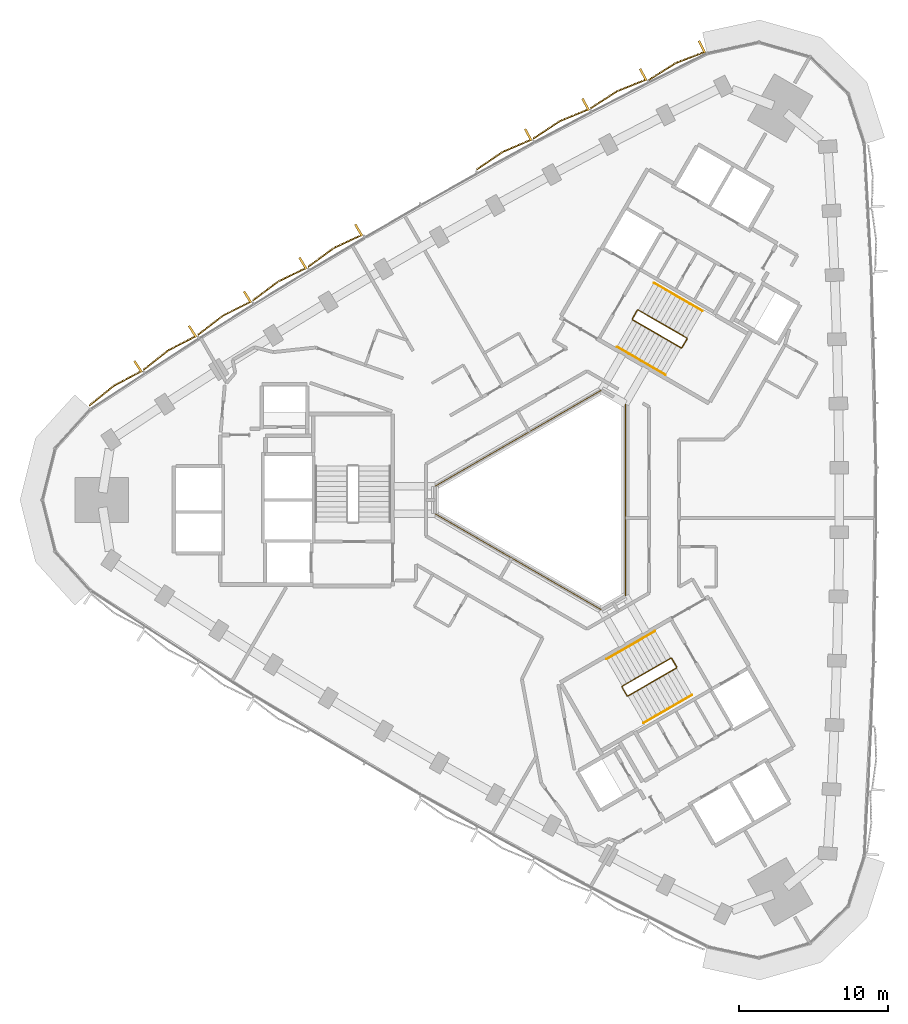
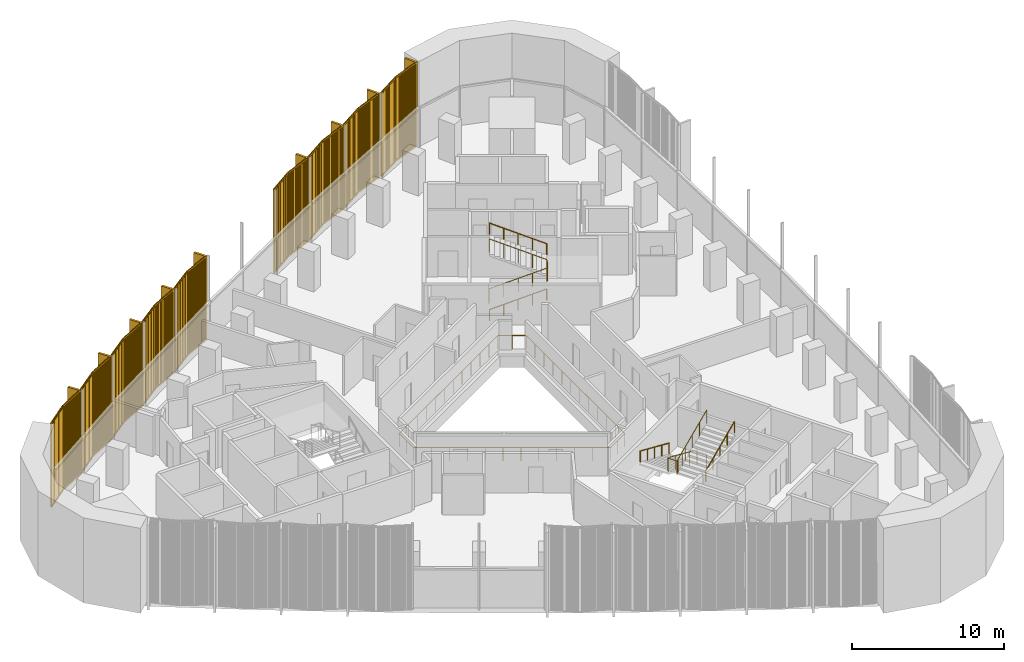
# One storey, part 13 of 14: 9 coverings, 7 railings.
"""IFC4 building model written with IfcOpenShell, lengths in metres."""

from ifc_helpers import new_model, si_unit, direction, frame, frame_2d, origin, origin_2d, place, context, subcontext, project, spatial, rectangle, circle, extrude, source, transform, mapped, material, type_object, element, save


model = new_model("IFC4")

# Units and contexts
model_context = context("Model", 3, precision=1e-05, world=origin(), true_north=direction((0.0, 1.0)))
body_context = subcontext(model_context, "Body", "Model", "MODEL_VIEW")
ifc_project = project(units=[si_unit("LENGTHUNIT", "METRE"), si_unit("AREAUNIT", "SQUARE_METRE"), si_unit("VOLUMEUNIT", "CUBIC_METRE"), si_unit("PLANEANGLEUNIT", "RADIAN"), si_unit("MASSUNIT", "GRAM", prefix="KILO")], contexts=[model_context])

# Site, building, storey
site_placement = place(None, origin())
site = spatial("IfcSite", under=ifc_project, at=site_placement, CompositionType="ELEMENT")
building_placement = place(site_placement, origin())
building = spatial("IfcBuilding", under=site, at=building_placement, Name="Tamra Quay Hotel Tower", CompositionType="ELEMENT")
storey_placement = place(building_placement, frame((0.0, 0.0, 150.39990234375)))
storey = spatial("IfcBuildingStorey", under=building, at=storey_placement, Name="L37", CompositionType="ELEMENT", Elevation=150.39990234375)

# Railings
ifc_material_1 = material(Name="Guard atrium edge 1100")
railing_type_1 = type_object("IfcRailingType", Name="Guard atrium edge 1100", PredefinedType="GUARDRAIL", material=ifc_material_1)
railing_1_placement = place(storey_placement, frame((4.800048828125, -6.466064453125, 0.0)))
element("IfcRailing", 1, at=railing_1_placement, inside=storey, type_object=railing_type_1, Name="G-A", PredefinedType="GUARDRAIL", context=body_context, shape_type="SweptSolid", body=[
    extrude(circle(Radius=0.02392578125, at=origin_2d()), frame((0.0, 0.0, 1.076171875), z_axis=(-0.86602275259, -0.500004591975, 0.0), x_axis=(0.500004591975, -0.86602275259, 0.0)), (0.0, 0.0, 1.0), 1.84765625),
    extrude(circle(Radius=0.02392578125, at=origin_2d()), frame((-1.60009765625, -0.923828125, 1.076171875), z_axis=(-0.86604129137, 0.499972480886, 0.0), x_axis=(-0.499972480886, -0.86604129137, 0.0)), (0.0, 0.0, 1.0), 12.932373046875),
    extrude(circle(Radius=0.02392578125, at=origin_2d()), frame((-12.800048828125, 5.5419921875, 1.076171875), z_axis=(0.0, 1.0, 0.0), x_axis=(-1.0, 0.0, 0.0)), (0.0, 0.0, 1.0), 1.84814453125),
    extrude(circle(Radius=0.02392578125, at=origin_2d()), frame((-12.800048828125, 7.39013671875, 1.076171875), z_axis=(0.86604129137, 0.499972480886, 0.0), x_axis=(-0.499972480886, 0.86604129137, 0.0)), (0.0, 0.0, 1.0), 12.932373046875),
    extrude(circle(Radius=0.02392578125, at=origin_2d()), frame((-1.60009765625, 13.85595703125, 1.076171875), z_axis=(0.86602275259, -0.500004591975, 0.0), x_axis=(0.500004591975, 0.86602275259, 0.0)), (0.0, 0.0, 1.0), 1.84765625),
    extrude(circle(Radius=0.02392578125, at=origin_2d()), frame((0.0, 12.93212890625, 1.076171875), z_axis=(0.0, -1.0, 0.0), x_axis=(1.0, 0.0, 0.0)), (0.0, 0.0, 1.0), 12.93212890625),
    extrude(circle(Radius=0.02099609375, at=origin_2d()), origin(), (0.0, 0.0, 1.0), 1.052001953125),
    extrude(circle(Radius=0.02099609375, at=origin_2d()), frame((-0.800048828125, -0.4619140625, 0.0)), (0.0, 0.0, 1.0), 1.052001953125),
    extrude(circle(Radius=0.02099609375, at=origin_2d()), frame((-1.60009765625, -0.923828125, 0.0)), (0.0, 0.0, 1.0), 1.052001953125),
    extrude(circle(Radius=0.02099609375, at=origin_2d()), frame((-2.6181640625, -0.3359375, 0.0)), (0.0, 0.0, 1.0), 1.052001953125),
    extrude(circle(Radius=0.02099609375, at=origin_2d()), frame((-3.636474609375, 0.251708984375, 0.0)), (0.0, 0.0, 1.0), 1.052001953125),
    extrude(circle(Radius=0.02099609375, at=origin_2d()), frame((-4.654541015625, 0.839599609375, 0.0)), (0.0, 0.0, 1.0), 1.052001953125),
    extrude(circle(Radius=0.02099609375, at=origin_2d()), frame((-5.6728515625, 1.427490234375, 0.0)), (0.0, 0.0, 1.0), 1.052001953125),
    extrude(circle(Radius=0.02099609375, at=origin_2d()), frame((-6.69091796875, 2.01513671875, 0.0)), (0.0, 0.0, 1.0), 1.052001953125),
    extrude(circle(Radius=0.02099609375, at=origin_2d()), frame((-7.709228515625, 2.60302734375, 0.0)), (0.0, 0.0, 1.0), 1.052001953125),
    extrude(circle(Radius=0.02099609375, at=origin_2d()), frame((-8.727294921875, 3.190673828125, 0.0)), (0.0, 0.0, 1.0), 1.052001953125),
    extrude(circle(Radius=0.02099609375, at=origin_2d()), frame((-9.74560546875, 3.778564453125, 0.0)), (0.0, 0.0, 1.0), 1.052001953125),
    extrude(circle(Radius=0.02099609375, at=origin_2d()), frame((-10.763671875, 4.366455078125, 0.0)), (0.0, 0.0, 1.0), 1.052001953125),
    extrude(circle(Radius=0.02099609375, at=origin_2d()), frame((-11.781982421875, 4.9541015625, 0.0)), (0.0, 0.0, 1.0), 1.052001953125),
    extrude(circle(Radius=0.02099609375, at=origin_2d()), frame((-12.800048828125, 5.5419921875, 0.0)), (0.0, 0.0, 1.0), 1.052001953125),
    extrude(circle(Radius=0.02099609375, at=origin_2d()), frame((-12.800048828125, 6.466064453125, 0.0)), (0.0, 0.0, 1.0), 1.052001953125),
    extrude(circle(Radius=0.02099609375, at=origin_2d()), frame((-12.800048828125, 7.39013671875, 0.0)), (0.0, 0.0, 1.0), 1.052001953125),
    extrude(circle(Radius=0.02099609375, at=origin_2d()), frame((-11.781982421875, 7.97802734375, 0.0)), (0.0, 0.0, 1.0), 1.052001953125),
    extrude(circle(Radius=0.02099609375, at=origin_2d()), frame((-10.763671875, 8.565673828125, 0.0)), (0.0, 0.0, 1.0), 1.052001953125),
    extrude(circle(Radius=0.02099609375, at=origin_2d()), frame((-9.74560546875, 9.153564453125, 0.0)), (0.0, 0.0, 1.0), 1.052001953125),
    extrude(circle(Radius=0.02099609375, at=origin_2d()), frame((-8.727294921875, 9.741455078125, 0.0)), (0.0, 0.0, 1.0), 1.052001953125),
    extrude(circle(Radius=0.02099609375, at=origin_2d()), frame((-7.709228515625, 10.3291015625, 0.0)), (0.0, 0.0, 1.0), 1.052001953125),
    extrude(circle(Radius=0.02099609375, at=origin_2d()), frame((-6.69091796875, 10.9169921875, 0.0)), (0.0, 0.0, 1.0), 1.052001953125),
    extrude(circle(Radius=0.02099609375, at=origin_2d()), frame((-5.6728515625, 11.504638671875, 0.0)), (0.0, 0.0, 1.0), 1.052001953125),
    extrude(circle(Radius=0.02099609375, at=origin_2d()), frame((-4.654541015625, 12.092529296875, 0.0)), (0.0, 0.0, 1.0), 1.052001953125),
    extrude(circle(Radius=0.02099609375, at=origin_2d()), frame((-3.636474609375, 12.680419921875, 0.0)), (0.0, 0.0, 1.0), 1.052001953125),
    extrude(circle(Radius=0.02099609375, at=origin_2d()), frame((-2.6181640625, 13.26806640625, 0.0)), (0.0, 0.0, 1.0), 1.052001953125),
    extrude(circle(Radius=0.02099609375, at=origin_2d()), frame((-1.60009765625, 13.85595703125, 0.0)), (0.0, 0.0, 1.0), 1.052001953125),
    extrude(circle(Radius=0.02099609375, at=origin_2d()), frame((-0.800048828125, 13.39404296875, 0.0)), (0.0, 0.0, 1.0), 1.052001953125),
    extrude(circle(Radius=0.02099609375, at=origin_2d()), frame((0.0, 12.93212890625, 0.0)), (0.0, 0.0, 1.0), 1.052001953125),
    extrude(circle(Radius=0.02099609375, at=origin_2d()), frame((0.0, 11.756591796875, 0.0)), (0.0, 0.0, 1.0), 1.052001953125),
    extrude(circle(Radius=0.02099609375, at=origin_2d()), frame((0.0, 10.580810546875, 0.0)), (0.0, 0.0, 1.0), 1.052001953125),
    extrude(circle(Radius=0.02099609375, at=origin_2d()), frame((0.0, 9.4052734375, 0.0)), (0.0, 0.0, 1.0), 1.052001953125),
    extrude(circle(Radius=0.02099609375, at=origin_2d()), frame((0.0, 8.2294921875, 0.0)), (0.0, 0.0, 1.0), 1.052001953125),
    extrude(circle(Radius=0.02099609375, at=origin_2d()), frame((0.0, 7.053955078125, 0.0)), (0.0, 0.0, 1.0), 1.052001953125),
    extrude(circle(Radius=0.02099609375, at=origin_2d()), frame((0.0, 5.878173828125, 0.0)), (0.0, 0.0, 1.0), 1.052001953125),
    extrude(circle(Radius=0.02099609375, at=origin_2d()), frame((0.0, 4.70263671875, 0.0)), (0.0, 0.0, 1.0), 1.052001953125),
    extrude(circle(Radius=0.02099609375, at=origin_2d()), frame((0.0, 3.52685546875, 0.0)), (0.0, 0.0, 1.0), 1.052001953125),
    extrude(circle(Radius=0.02099609375, at=origin_2d()), frame((0.0, 2.351318359375, 0.0)), (0.0, 0.0, 1.0), 1.052001953125),
    extrude(circle(Radius=0.02099609375, at=origin_2d()), frame((0.0, 1.175537109375, 0.0)), (0.0, 0.0, 1.0), 1.052001953125),
])
ifc_material_2 = material(Name="Stair guard 1100")
railing_type_2 = type_object("IfcRailingType", Name="Stair guard 1100", PredefinedType="GUARDRAIL", material=ifc_material_2)
railing_2_placement = place(storey_placement, frame((5.595458984375, 12.751953125, 0.0)))
element("IfcRailing", 2, at=railing_2_placement, inside=storey, type_object=railing_type_2, Name="GR", PredefinedType="GUARDRAIL", context=body_context, shape_type="SweptSolid", body=[
    extrude(circle(Radius=0.02392578125, at=origin_2d()), frame((0.0, 0.0, 1.076171875), z_axis=(-0.499765215335, -0.866160914346, 0.0), x_axis=(0.866160914346, -0.499765215335, 0.0)), (0.0, 0.0, 1.0), 0.658935546875),
    extrude(circle(Radius=0.02392578125, at=origin_2d()), frame((-0.329345703125, -0.57080078125, 1.076171875), z_axis=(0.110378772244, -0.410609032747, 0.905105932399), x_axis=(0.965715946433, 0.259601060869, 0.0)), (0.0, 0.0, 1.0), 0.165771484375),
    extrude(circle(Radius=0.02392578125, at=origin_2d()), frame((-0.31103515625, -0.638916015625, 1.22607421875), z_axis=(0.793078462799, -0.457933869594, 0.401650498471), x_axis=(0.500040788363, 0.866001853331, 0.0)), (0.0, 0.0, 1.0), 4.10791015625),
    extrude(circle(Radius=0.02392578125, at=origin_2d()), frame((2.94677734375, -2.52001953125, 2.8759765625), z_axis=(0.965948051503, 0.258736085224, 0.0), x_axis=(-0.258736085224, 0.965948051503, 0.0)), (0.0, 0.0, 1.0), 0.07080078125),
    extrude(circle(Radius=0.02392578125, at=origin_2d()), frame((3.01513671875, -2.501708984375, 2.8759765625), z_axis=(0.500043078269, 0.866000531106, 0.0), x_axis=(-0.866000531106, 0.500043078269, 0.0)), (0.0, 0.0, 1.0), 0.6591796875),
    extrude(circle(Radius=0.02392578125, at=origin_2d()), frame((3.3447265625, -1.930908203125, 2.8759765625), z_axis=(-0.110378772244, 0.410609032747, 0.905105932399), x_axis=(-0.965715946433, -0.259601060869, 0.0)), (0.0, 0.0, 1.0), 0.165771484375),
    extrude(circle(Radius=0.02392578125, at=origin_2d()), frame((3.326416015625, -1.86279296875, 3.0263671875), z_axis=(-0.793100512587, 0.457912285461, 0.401631567183), x_axis=(-0.500012686397, -0.866018079166, 0.0)), (0.0, 0.0, 1.0), 4.10791015625),
    extrude(circle(Radius=0.02099609375, at=origin_2d()), origin(), (0.0, 0.0, 1.0), 1.052001953125),
    extrude(circle(Radius=0.02099609375, at=origin_2d()), frame((-0.329345703125, -0.57080078125, 0.0)), (0.0, 0.0, 1.0), 1.052001953125),
    extrude(circle(Radius=0.02099609375, at=origin_2d()), frame((-0.31103515625, -0.638916015625, 0.150146484375)), (0.0, 0.0, 1.0), 1.052001953125),
    extrude(circle(Radius=0.02099609375, at=origin_2d()), frame((0.50341796875, -1.109130859375, 0.5625)), (0.0, 0.0, 1.0), 1.052001953125),
    extrude(circle(Radius=0.02099609375, at=origin_2d()), frame((1.31787109375, -1.57958984375, 0.97509765625)), (0.0, 0.0, 1.0), 1.052001953125),
    extrude(circle(Radius=0.02099609375, at=origin_2d()), frame((2.13232421875, -2.0498046875, 1.3876953125)), (0.0, 0.0, 1.0), 1.052001953125),
    extrude(circle(Radius=0.02099609375, at=origin_2d()), frame((2.94677734375, -2.52001953125, 1.800048828125)), (0.0, 0.0, 1.0), 1.052001953125),
    extrude(circle(Radius=0.02099609375, at=origin_2d()), frame((3.01513671875, -2.501708984375, 1.800048828125)), (0.0, 0.0, 1.0), 1.052001953125),
    extrude(circle(Radius=0.02099609375, at=origin_2d()), frame((3.3447265625, -1.930908203125, 1.800048828125)), (0.0, 0.0, 1.0), 1.052001953125),
    extrude(circle(Radius=0.02099609375, at=origin_2d()), frame((3.326416015625, -1.86279296875, 1.9501953125)), (0.0, 0.0, 1.0), 1.052001953125),
    extrude(circle(Radius=0.02099609375, at=origin_2d()), frame((2.511962890625, -1.392578125, 2.36279296875)), (0.0, 0.0, 1.0), 1.052001953125),
    extrude(circle(Radius=0.02099609375, at=origin_2d()), frame((1.697265625, -0.92236328125, 2.775146484375)), (0.0, 0.0, 1.0), 1.052001953125),
    extrude(circle(Radius=0.02099609375, at=origin_2d()), frame((0.8828125, -0.451904296875, 3.1875)), (0.0, 0.0, 1.0), 1.052001953125),
    extrude(circle(Radius=0.02099609375, at=origin_2d()), frame((0.068359375, 0.018310546875, 3.60009765625)), (0.0, 0.0, 1.0), 1.052001953125),
])
railing_3_placement = place(storey_placement, frame((8.245849609375, -11.221923828125, 0.0)))
element("IfcRailing", 3, at=railing_3_placement, inside=storey, type_object=railing_type_2, Name="GR", PredefinedType="GUARDRAIL", context=body_context, shape_type="SweptSolid", body=[
    extrude(circle(Radius=0.02392578125, at=origin_2d()), frame((0.0, 0.0, 1.076171875), z_axis=(-0.500043078269, 0.866000531106, 0.0), x_axis=(-0.866000531106, -0.500043078269, 0.0)), (0.0, 0.0, 1.0), 0.6591796875),
    extrude(circle(Radius=0.02392578125, at=origin_2d()), frame((-0.32958984375, 0.57080078125, 1.076171875), z_axis=(-0.411831509231, 0.110312011401, 0.90455849349), x_axis=(-0.258736085224, -0.965948051503, 0.0)), (0.0, 0.0, 1.0), 0.166015625),
    extrude(circle(Radius=0.02392578125, at=origin_2d()), frame((-0.39794921875, 0.589111328125, 1.22607421875), z_axis=(-0.793100512587, -0.457912285461, 0.401631567183), x_axis=(0.500012686397, -0.866018079166, 0.0)), (0.0, 0.0, 1.0), 4.10791015625),
    extrude(circle(Radius=0.02392578125, at=origin_2d()), frame((-3.656005859375, -1.2919921875, 2.8759765625), z_axis=(-0.256368644879, -0.966579080015, 0.0), x_axis=(0.966579080015, -0.256368644879, 0.0)), (0.0, 0.0, 1.0), 0.070556640625),
    extrude(circle(Radius=0.02392578125, at=origin_2d()), frame((-3.674072265625, -1.360107421875, 2.8759765625), z_axis=(0.499765215335, -0.866160914346, 0.0), x_axis=(0.866160914346, 0.499765215335, 0.0)), (0.0, 0.0, 1.0), 0.658935546875),
    extrude(circle(Radius=0.02392578125, at=origin_2d()), frame((-3.3447265625, -1.930908203125, 2.8759765625), z_axis=(0.411831509231, -0.110312011401, 0.90455849349), x_axis=(0.258736085224, 0.965948051503, 0.0)), (0.0, 0.0, 1.0), 0.166015625),
    extrude(circle(Radius=0.02392578125, at=origin_2d()), frame((-3.2763671875, -1.94921875, 3.0263671875), z_axis=(0.793100512587, 0.457912285461, 0.401631567183), x_axis=(-0.500012686397, 0.866018079166, 0.0)), (0.0, 0.0, 1.0), 4.10791015625),
    extrude(circle(Radius=0.02099609375, at=origin_2d()), origin(), (0.0, 0.0, 1.0), 1.052001953125),
    extrude(circle(Radius=0.02099609375, at=origin_2d()), frame((-0.32958984375, 0.57080078125, 0.0)), (0.0, 0.0, 1.0), 1.052001953125),
    extrude(circle(Radius=0.02099609375, at=origin_2d()), frame((-0.39794921875, 0.589111328125, 0.150146484375)), (0.0, 0.0, 1.0), 1.052001953125),
    extrude(circle(Radius=0.02099609375, at=origin_2d()), frame((-1.21240234375, 0.118896484375, 0.5625)), (0.0, 0.0, 1.0), 1.052001953125),
    extrude(circle(Radius=0.02099609375, at=origin_2d()), frame((-2.02685546875, -0.3515625, 0.97509765625)), (0.0, 0.0, 1.0), 1.052001953125),
    extrude(circle(Radius=0.02099609375, at=origin_2d()), frame((-2.841552734375, -0.82177734375, 1.3876953125)), (0.0, 0.0, 1.0), 1.052001953125),
    extrude(circle(Radius=0.02099609375, at=origin_2d()), frame((-3.656005859375, -1.2919921875, 1.800048828125)), (0.0, 0.0, 1.0), 1.052001953125),
    extrude(circle(Radius=0.02099609375, at=origin_2d()), frame((-3.674072265625, -1.360107421875, 1.800048828125)), (0.0, 0.0, 1.0), 1.052001953125),
    extrude(circle(Radius=0.02099609375, at=origin_2d()), frame((-3.3447265625, -1.930908203125, 1.800048828125)), (0.0, 0.0, 1.0), 1.052001953125),
    extrude(circle(Radius=0.02099609375, at=origin_2d()), frame((-3.2763671875, -1.94921875, 1.9501953125)), (0.0, 0.0, 1.0), 1.052001953125),
    extrude(circle(Radius=0.02099609375, at=origin_2d()), frame((-2.4619140625, -1.47900390625, 2.36279296875)), (0.0, 0.0, 1.0), 1.052001953125),
    extrude(circle(Radius=0.02099609375, at=origin_2d()), frame((-1.6474609375, -1.0087890625, 2.775146484375)), (0.0, 0.0, 1.0), 1.052001953125),
    extrude(circle(Radius=0.02099609375, at=origin_2d()), frame((-0.832763671875, -0.538330078125, 3.1875)), (0.0, 0.0, 1.0), 1.052001953125),
    extrude(circle(Radius=0.02099609375, at=origin_2d()), frame((-0.018310546875, -0.068115234375, 3.60009765625)), (0.0, 0.0, 1.0), 1.052001953125),
])
ifc_material_3 = material(Name="Stair handrail 900")
railing_type_3 = type_object("IfcRailingType", Name="Stair handrail 900", PredefinedType="HANDRAIL", material=ifc_material_3)
railing_4_placement = place(storey_placement, frame((4.234375, 10.294189453125, 0.150146484375)))
element("IfcRailing", 4, at=railing_4_placement, inside=storey, type_object=railing_type_3, Name="HR", PredefinedType="HANDRAIL", context=body_context, shape_type="SweptSolid", body=[
    extrude(circle(Radius=0.02392578125, at=origin_2d()), frame((0.0, 0.0, 0.8759765625), z_axis=(0.793122095483, -0.45786531462, 0.401642496911), x_axis=(0.499964013922, 0.86604617936, 0.0)), (0.0, 0.0, 1.0), 4.10791015625),
    extrude(circle(Radius=0.02099609375, at=origin_2d()), origin(), (0.0, 0.0, 1.0), 0.851806640625),
    extrude(circle(Radius=0.02099609375, at=origin_2d()), frame((0.814453125, -0.47021484375, 0.41259765625)), (0.0, 0.0, 1.0), 0.851806640625),
    extrude(circle(Radius=0.02099609375, at=origin_2d()), frame((1.62890625, -0.9404296875, 0.824951171875)), (0.0, 0.0, 1.0), 0.851806640625),
    extrude(circle(Radius=0.02099609375, at=origin_2d()), frame((2.443603515625, -1.41064453125, 1.2373046875)), (0.0, 0.0, 1.0), 0.851806640625),
    extrude(circle(Radius=0.02099609375, at=origin_2d()), frame((3.258056640625, -1.880859375, 1.64990234375)), (0.0, 0.0, 1.0), 0.851806640625),
])
railing_5_placement = place(storey_placement, frame((9.971923828125, 12.7080078125, 1.9501953125)))
element("IfcRailing", 5, at=railing_5_placement, inside=storey, type_object=railing_type_3, Name="HR", PredefinedType="HANDRAIL", context=body_context, shape_type="SweptSolid", body=[
    extrude(circle(Radius=0.02392578125, at=origin_2d()), frame((0.0, 0.0, 0.8759765625), z_axis=(-0.793122095483, 0.45786531462, 0.401642496911), x_axis=(-0.499964013922, -0.86604617936, 0.0)), (0.0, 0.0, 1.0), 4.10791015625),
    extrude(circle(Radius=0.02099609375, at=origin_2d()), origin(), (0.0, 0.0, 1.0), 0.851806640625),
    extrude(circle(Radius=0.02099609375, at=origin_2d()), frame((-0.814453125, 0.47021484375, 0.41259765625)), (0.0, 0.0, 1.0), 0.851806640625),
    extrude(circle(Radius=0.02099609375, at=origin_2d()), frame((-1.62890625, 0.9404296875, 0.824951171875)), (0.0, 0.0, 1.0), 0.851806640625),
    extrude(circle(Radius=0.02099609375, at=origin_2d()), frame((-2.443603515625, 1.41064453125, 1.2373046875)), (0.0, 0.0, 1.0), 0.851806640625),
    extrude(circle(Radius=0.02099609375, at=origin_2d()), frame((-3.258056640625, 1.880859375, 1.64990234375)), (0.0, 0.0, 1.0), 0.851806640625),
])
railing_6_placement = place(storey_placement, frame((6.7978515625, -8.814208984375, 0.150146484375)))
element("IfcRailing", 6, at=railing_6_placement, inside=storey, type_object=railing_type_3, Name="HR", PredefinedType="HANDRAIL", context=body_context, shape_type="SweptSolid", body=[
    extrude(circle(Radius=0.02392578125, at=origin_2d()), frame((0.0, 0.0, 0.8759765625), z_axis=(-0.79310004713, -0.457886897714, 0.401661429744), x_axis=(0.499992114976, -0.866029956157, 0.0)), (0.0, 0.0, 1.0), 4.107666015625),
    extrude(circle(Radius=0.02099609375, at=origin_2d()), origin(), (0.0, 0.0, 1.0), 0.851806640625),
    extrude(circle(Radius=0.02099609375, at=origin_2d()), frame((-0.814453125, -0.47021484375, 0.41259765625)), (0.0, 0.0, 1.0), 0.851806640625),
    extrude(circle(Radius=0.02099609375, at=origin_2d()), frame((-1.62890625, -0.9404296875, 0.824951171875)), (0.0, 0.0, 1.0), 0.851806640625),
    extrude(circle(Radius=0.02099609375, at=origin_2d()), frame((-2.443359375, -1.41064453125, 1.2373046875)), (0.0, 0.0, 1.0), 0.851806640625),
    extrude(circle(Radius=0.02099609375, at=origin_2d()), frame((-3.2578125, -1.880859375, 1.64990234375)), (0.0, 0.0, 1.0), 0.851806640625),
])
railing_7_placement = place(storey_placement, frame((6.01953125, -14.98974609375, 1.9501953125)))
element("IfcRailing", 7, at=railing_7_placement, inside=storey, type_object=railing_type_3, Name="HR", PredefinedType="HANDRAIL", context=body_context, shape_type="SweptSolid", body=[
    extrude(circle(Radius=0.02392578125, at=origin_2d()), frame((0.0, 0.0, 0.8759765625), z_axis=(0.79310004713, 0.457886897714, 0.401661429744), x_axis=(-0.499992114976, 0.866029956157, 0.0)), (0.0, 0.0, 1.0), 4.107666015625),
    extrude(circle(Radius=0.02099609375, at=origin_2d()), origin(), (0.0, 0.0, 1.0), 0.851806640625),
    extrude(circle(Radius=0.02099609375, at=origin_2d()), frame((0.814453125, 0.47021484375, 0.41259765625)), (0.0, 0.0, 1.0), 0.851806640625),
    extrude(circle(Radius=0.02099609375, at=origin_2d()), frame((1.62890625, 0.9404296875, 0.824951171875)), (0.0, 0.0, 1.0), 0.851806640625),
    extrude(circle(Radius=0.02099609375, at=origin_2d()), frame((2.443359375, 1.41064453125, 1.2373046875)), (0.0, 0.0, 1.0), 0.851806640625),
    extrude(circle(Radius=0.02099609375, at=origin_2d()), frame((3.2578125, 1.880859375, 1.64990234375)), (0.0, 0.0, 1.0), 0.851806640625),
])

# Coverings
ifc_material_4 = material(Name="Terracotta baguette extruded", Category="masonry")
covering_type = type_object("IfcCoveringType", Name="BAGUETTE SCREEN NW-V H6800", PredefinedType="USERDEFINED", material=ifc_material_4)
shared_shape = source(origin(), body_context, "Body", "SweptSolid", [
    extrude(rectangle(XDim=2.142333984375, YDim=0.06005859375, at=frame_2d((1.0712890625, 0.030029296875))), frame((-2.13818359375, -0.0576171875, -0.1201171875), z_axis=(0.0, 0.0, 1.0), x_axis=(0.995396198367, -0.09584575252, 0.0)), (0.0, 0.0, 1.0), 0.1201171875),
    extrude(rectangle(XDim=2.142333984375, YDim=0.06005859375, at=frame_2d((1.0712890625, 0.030029296875))), frame((-2.13818359375, -0.0576171875, -6.800048828125), z_axis=(0.0, 0.0, 1.0), x_axis=(0.995396198367, -0.09584575252, 0.0)), (0.0, 0.0, 1.0), 0.1201171875),
    extrude(rectangle(XDim=0.070068359375, YDim=0.10009765625, at=frame_2d((0.03515625, 0.050048828125))), frame((-2.11669921875, -0.1328125, -6.739990234375)), (0.0, 0.0, 1.0), 6.679931640625),
    extrude(rectangle(XDim=0.070068359375, YDim=0.10009765625, at=frame_2d((0.03515625, 0.050048828125))), frame((-2.01513671875, -0.142578125, -6.739990234375)), (0.0, 0.0, 1.0), 6.679931640625),
    extrude(rectangle(XDim=0.070068359375, YDim=0.10009765625, at=frame_2d((0.03515625, 0.050048828125))), frame((-1.91357421875, -0.15234375, -6.739990234375)), (0.0, 0.0, 1.0), 6.679931640625),
    extrude(rectangle(XDim=0.070068359375, YDim=0.10009765625, at=frame_2d((0.03515625, 0.050048828125))), frame((-1.81201171875, -0.162109375, -6.739990234375)), (0.0, 0.0, 1.0), 6.679931640625),
    extrude(rectangle(XDim=0.070068359375, YDim=0.10009765625, at=frame_2d((0.03515625, 0.050048828125))), frame((-1.71044921875, -0.172119140625, -6.739990234375)), (0.0, 0.0, 1.0), 6.679931640625),
    extrude(rectangle(XDim=0.070068359375, YDim=0.10009765625, at=frame_2d((0.03515625, 0.050048828125))), frame((-1.60888671875, -0.181884765625, -6.739990234375)), (0.0, 0.0, 1.0), 6.679931640625),
    extrude(rectangle(XDim=0.070068359375, YDim=0.10009765625, at=frame_2d((0.03515625, 0.050048828125))), frame((-1.50732421875, -0.191650390625, -6.739990234375)), (0.0, 0.0, 1.0), 6.679931640625),
    extrude(rectangle(XDim=0.070068359375, YDim=0.10009765625, at=frame_2d((0.03515625, 0.050048828125))), frame((-1.406005859375, -0.201416015625, -6.739990234375)), (0.0, 0.0, 1.0), 6.679931640625),
    extrude(rectangle(XDim=0.070068359375, YDim=0.10009765625, at=frame_2d((0.03515625, 0.050048828125))), frame((-1.304443359375, -0.211181640625, -6.739990234375)), (0.0, 0.0, 1.0), 6.679931640625),
    extrude(rectangle(XDim=0.070068359375, YDim=0.10009765625, at=frame_2d((0.03515625, 0.050048828125))), frame((-1.202880859375, -0.220947265625, -6.739990234375)), (0.0, 0.0, 1.0), 6.679931640625),
    extrude(rectangle(XDim=0.070068359375, YDim=0.10009765625, at=frame_2d((0.03515625, 0.050048828125))), frame((-1.101318359375, -0.230712890625, -6.739990234375)), (0.0, 0.0, 1.0), 6.679931640625),
    extrude(rectangle(XDim=0.070068359375, YDim=0.10009765625, at=frame_2d((0.03515625, 0.050048828125))), frame((-0.999755859375, -0.240478515625, -6.739990234375)), (0.0, 0.0, 1.0), 6.679931640625),
    extrude(rectangle(XDim=0.070068359375, YDim=0.10009765625, at=frame_2d((0.03515625, 0.050048828125))), frame((-0.898193359375, -0.250244140625, -6.739990234375)), (0.0, 0.0, 1.0), 6.679931640625),
    extrude(rectangle(XDim=0.070068359375, YDim=0.10009765625, at=frame_2d((0.03515625, 0.050048828125))), frame((-0.796630859375, -0.260009765625, -6.739990234375)), (0.0, 0.0, 1.0), 6.679931640625),
    extrude(rectangle(XDim=0.070068359375, YDim=0.10009765625, at=frame_2d((0.03515625, 0.050048828125))), frame((-0.695068359375, -0.269775390625, -6.739990234375)), (0.0, 0.0, 1.0), 6.679931640625),
    extrude(rectangle(XDim=0.070068359375, YDim=0.10009765625, at=frame_2d((0.03515625, 0.050048828125))), frame((-0.593505859375, -0.279541015625, -6.739990234375)), (0.0, 0.0, 1.0), 6.679931640625),
    extrude(rectangle(XDim=0.070068359375, YDim=0.10009765625, at=frame_2d((0.03515625, 0.050048828125))), frame((-0.491943359375, -0.289306640625, -6.739990234375)), (0.0, 0.0, 1.0), 6.679931640625),
    extrude(rectangle(XDim=0.070068359375, YDim=0.10009765625, at=frame_2d((0.03515625, 0.050048828125))), frame((-0.390380859375, -0.299072265625, -6.739990234375)), (0.0, 0.0, 1.0), 6.679931640625),
    extrude(rectangle(XDim=0.070068359375, YDim=0.10009765625, at=frame_2d((0.03515625, 0.050048828125))), frame((-0.288818359375, -0.308837890625, -6.739990234375)), (0.0, 0.0, 1.0), 6.679931640625),
    extrude(rectangle(XDim=0.070068359375, YDim=0.10009765625, at=frame_2d((0.03515625, 0.050048828125))), frame((-0.187255859375, -0.318603515625, -6.739990234375)), (0.0, 0.0, 1.0), 6.679931640625),
    extrude(rectangle(XDim=0.070068359375, YDim=0.10009765625, at=frame_2d((0.03515625, 0.050048828125))), frame((-0.085693359375, -0.328369140625, -6.739990234375)), (0.0, 0.0, 1.0), 6.679931640625),
    extrude(rectangle(XDim=2.142333984375, YDim=0.06005859375, at=frame_2d((1.0712890625, 0.030029296875))), frame((0.005859375, -0.262939453125, -0.1201171875), z_axis=(0.0, 0.0, 1.0), x_axis=(0.995396198367, 0.09584575252, 0.0)), (0.0, 0.0, 1.0), 0.1201171875),
    extrude(rectangle(XDim=2.142333984375, YDim=0.06005859375, at=frame_2d((1.0712890625, 0.030029296875))), frame((0.005859375, -0.262939453125, -6.800048828125), z_axis=(0.0, 0.0, 1.0), x_axis=(0.995396198367, 0.09584575252, 0.0)), (0.0, 0.0, 1.0), 0.1201171875),
    extrude(rectangle(XDim=0.070068359375, YDim=0.10009765625, at=frame_2d((0.03515625, 0.050048828125))), frame((0.015869140625, -0.328369140625, -6.739990234375)), (0.0, 0.0, 1.0), 6.679931640625),
    extrude(rectangle(XDim=0.070068359375, YDim=0.10009765625, at=frame_2d((0.03515625, 0.050048828125))), frame((0.117431640625, -0.318603515625, -6.739990234375)), (0.0, 0.0, 1.0), 6.679931640625),
    extrude(rectangle(XDim=0.070068359375, YDim=0.10009765625, at=frame_2d((0.03515625, 0.050048828125))), frame((0.21875, -0.308837890625, -6.739990234375)), (0.0, 0.0, 1.0), 6.679931640625),
    extrude(rectangle(XDim=0.070068359375, YDim=0.10009765625, at=frame_2d((0.03515625, 0.050048828125))), frame((0.3203125, -0.299072265625, -6.739990234375)), (0.0, 0.0, 1.0), 6.679931640625),
    extrude(rectangle(XDim=0.070068359375, YDim=0.10009765625, at=frame_2d((0.03515625, 0.050048828125))), frame((0.421875, -0.289306640625, -6.739990234375)), (0.0, 0.0, 1.0), 6.679931640625),
    extrude(rectangle(XDim=0.070068359375, YDim=0.10009765625, at=frame_2d((0.03515625, 0.050048828125))), frame((0.5234375, -0.279541015625, -6.739990234375)), (0.0, 0.0, 1.0), 6.679931640625),
    extrude(rectangle(XDim=0.070068359375, YDim=0.10009765625, at=frame_2d((0.03515625, 0.050048828125))), frame((0.625, -0.269775390625, -6.739990234375)), (0.0, 0.0, 1.0), 6.679931640625),
    extrude(rectangle(XDim=0.070068359375, YDim=0.10009765625, at=frame_2d((0.03515625, 0.050048828125))), frame((0.7265625, -0.260009765625, -6.739990234375)), (0.0, 0.0, 1.0), 6.679931640625),
    extrude(rectangle(XDim=0.070068359375, YDim=0.10009765625, at=frame_2d((0.03515625, 0.050048828125))), frame((0.828125, -0.250244140625, -6.739990234375)), (0.0, 0.0, 1.0), 6.679931640625),
    extrude(rectangle(XDim=0.070068359375, YDim=0.10009765625, at=frame_2d((0.03515625, 0.050048828125))), frame((0.9296875, -0.240478515625, -6.739990234375)), (0.0, 0.0, 1.0), 6.679931640625),
    extrude(rectangle(XDim=0.070068359375, YDim=0.10009765625, at=frame_2d((0.03515625, 0.050048828125))), frame((1.03125, -0.230712890625, -6.739990234375)), (0.0, 0.0, 1.0), 6.679931640625),
    extrude(rectangle(XDim=0.070068359375, YDim=0.10009765625, at=frame_2d((0.03515625, 0.050048828125))), frame((1.1328125, -0.220947265625, -6.739990234375)), (0.0, 0.0, 1.0), 6.679931640625),
    extrude(rectangle(XDim=0.070068359375, YDim=0.10009765625, at=frame_2d((0.03515625, 0.050048828125))), frame((1.234375, -0.211181640625, -6.739990234375)), (0.0, 0.0, 1.0), 6.679931640625),
    extrude(rectangle(XDim=0.070068359375, YDim=0.10009765625, at=frame_2d((0.03515625, 0.050048828125))), frame((1.3359375, -0.201416015625, -6.739990234375)), (0.0, 0.0, 1.0), 6.679931640625),
    extrude(rectangle(XDim=0.070068359375, YDim=0.10009765625, at=frame_2d((0.03515625, 0.050048828125))), frame((1.4375, -0.191650390625, -6.739990234375)), (0.0, 0.0, 1.0), 6.679931640625),
    extrude(rectangle(XDim=0.070068359375, YDim=0.10009765625, at=frame_2d((0.03515625, 0.050048828125))), frame((1.5390625, -0.181884765625, -6.739990234375)), (0.0, 0.0, 1.0), 6.679931640625),
    extrude(rectangle(XDim=0.070068359375, YDim=0.10009765625, at=frame_2d((0.03515625, 0.050048828125))), frame((1.640625, -0.172119140625, -6.739990234375)), (0.0, 0.0, 1.0), 6.679931640625),
    extrude(rectangle(XDim=0.070068359375, YDim=0.10009765625, at=frame_2d((0.03515625, 0.050048828125))), frame((1.7421875, -0.162109375, -6.739990234375)), (0.0, 0.0, 1.0), 6.679931640625),
    extrude(rectangle(XDim=0.070068359375, YDim=0.10009765625, at=frame_2d((0.03515625, 0.050048828125))), frame((1.84375, -0.15234375, -6.739990234375)), (0.0, 0.0, 1.0), 6.679931640625),
    extrude(rectangle(XDim=0.070068359375, YDim=0.10009765625, at=frame_2d((0.03515625, 0.050048828125))), frame((1.945068359375, -0.142578125, -6.739990234375)), (0.0, 0.0, 1.0), 6.679931640625),
    extrude(rectangle(XDim=0.070068359375, YDim=0.10009765625, at=frame_2d((0.03515625, 0.050048828125))), frame((2.046630859375, -0.1328125, -6.739990234375)), (0.0, 0.0, 1.0), 6.679931640625),
    extrude(rectangle(XDim=0.14990234375, YDim=0.902099609375, at=frame_2d((0.074951171875, 0.451171875))), frame((-2.132568359375, -0.89990234375, -6.800048828125)), (0.0, 0.0, 1.0), 6.800048828125),
])
for number, where, z_axis, x_axis, name in (
    (8, (8.2978515625, 29.131591796875, 6.800048828125), (0.0, 0.0, 1.0), (-0.894304566387, -0.447458760713, 0.0), "Baguette screen L37.NW.f00"),
    (9, (4.371337890625, 27.249755859375, 6.800048828125), (0.0, 0.0, 1.0), (-0.888911370016, -0.458079224868, 0.0), "Baguette screen L37.NW.f01"),
    (10, (0.512939453125, 25.232421875, 6.800048828125), (0.0, 0.0, 1.0), (-0.883391558979, -0.468635629808, 0.0), "Baguette screen L37.NW.f02"),
    (11, (-3.32177734375, 23.16845703125, 6.800048828125), (0.0, 0.0, 1.0), (-0.877726039589, -0.479162810981, 0.0), "Baguette screen L37.NW.f03"),
    (12, (-14.67236328125, 16.705322265625, 6.800048828125), (0.0, 0.0, 1.0), (-0.859985065369, -0.510319201424, 0.0), "Baguette screen L37.NW.f06"),
    (13, (-18.403564453125, 14.461181640625, 6.800048828125), (0.0, 0.0, 1.0), (-0.853830186653, -0.520551642357, 0.0), "Baguette screen L37.NW.f07"),
    (14, (-22.1083984375, 12.171875, 6.800048828125), (0.0, 0.0, 1.0), (-0.847546140021, -0.530721716661, 0.0), "Baguette screen L37.NW.f08"),
    (15, (-25.78466796875, 9.839111328125, 6.800048828125), (0.0, 0.0, 1.0), (-0.84116393069, -0.540780215713, 0.0), "Baguette screen L37.NW.f09"),
    (16, (-29.432861328125, 7.463134765625, 6.800048828125), (0.0, 0.0, 1.0), (-0.834662937117, -0.550761092856, 0.0), "Baguette screen L37.NW.f10"),
):
    element("IfcCovering", number, at=place(storey_placement, frame(where, z_axis=z_axis, x_axis=x_axis)), inside=storey, type_object=covering_type, Name=name, ObjectType="BAGUETTE SCREEN", PredefinedType="USERDEFINED", context=body_context, shape_type="MappedRepresentation", body=[
        mapped(shared_shape, transform((0.0, 0.0, 0.0), scale=1.0)),
    ])

save(model, "model.ifc")
